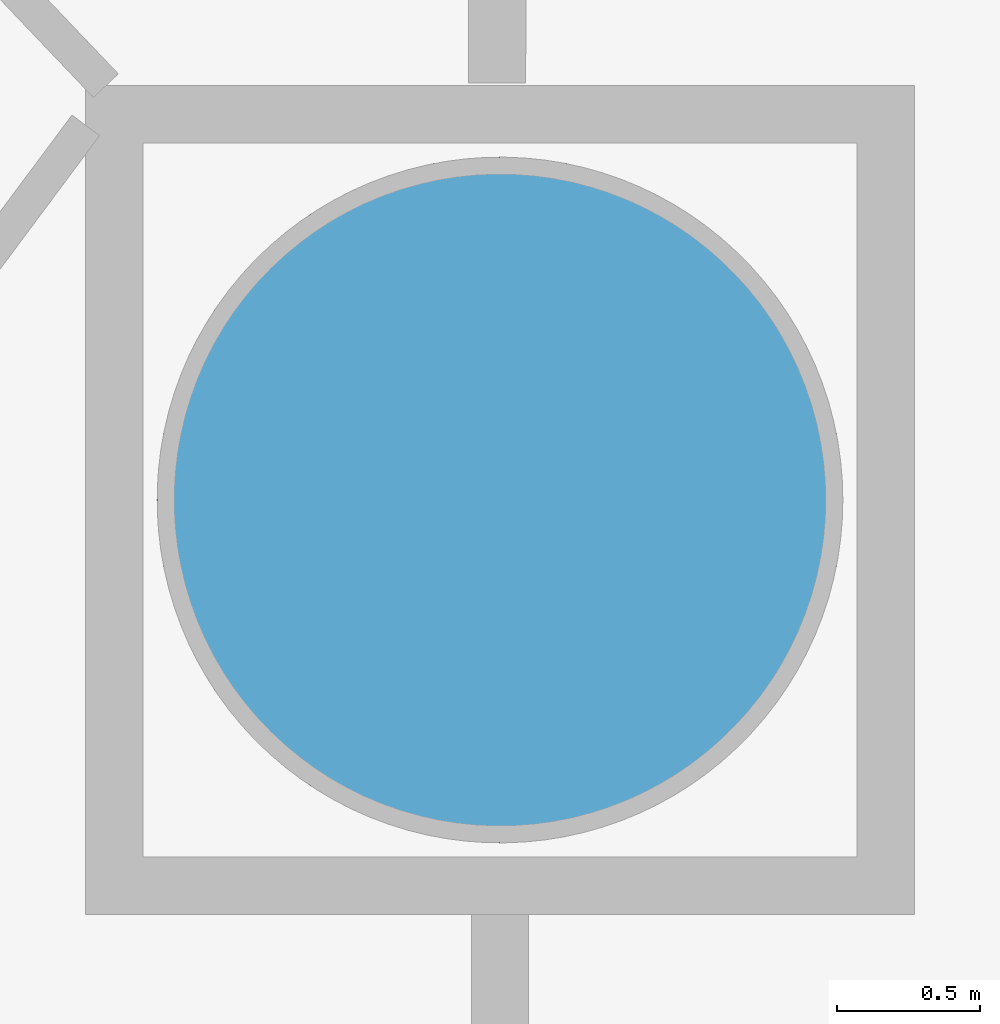
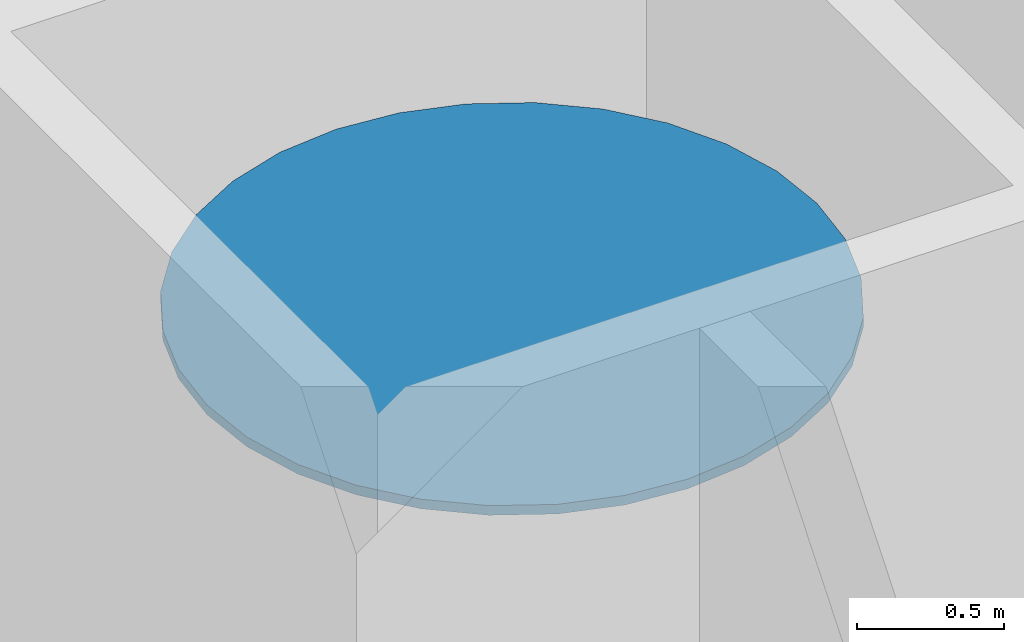
# One storey, part 19 of 20: 1 discrete accessory.
"""IFC4 building model written with IfcOpenShell, lengths in metres."""

from ifc_helpers import new_model, si_unit, direction, frame, origin, place, context, subcontext, project, spatial, polyline, outline, extrude, material, layer, layer_set, type_object, element, save


model = new_model("IFC4")

# Units and contexts
model_context = context("Model", 3, precision=1e-05, world=origin(), true_north=direction((0.0, 1.0)))
body_context = subcontext(model_context, "Body", "Model", "MODEL_VIEW")
ifc_project = project(units=[si_unit("LENGTHUNIT", "METRE"), si_unit("AREAUNIT", "SQUARE_METRE"), si_unit("VOLUMEUNIT", "CUBIC_METRE"), si_unit("PLANEANGLEUNIT", "RADIAN"), si_unit("MASSUNIT", "GRAM", prefix="KILO")], contexts=[model_context])

# Site, building, storey
site_placement = place(None, origin())
site = spatial("IfcSite", under=ifc_project, at=site_placement, CompositionType="ELEMENT")
building_placement = place(site_placement, origin())
building = spatial("IfcBuilding", under=site, at=building_placement, Name="Spindle Arch Residences", CompositionType="ELEMENT")
storey_placement = place(building_placement, frame((0.0, 0.0, 66.39990234375)))
storey = spatial("IfcBuildingStorey", under=building, at=storey_placement, Name="L15", CompositionType="ELEMENT", Elevation=66.39990234375)

# Discrete accessory
ifc_material = material(Name="Steel S460ML, intumescent coating R 240", Category="steel")
ifc_layer = layer(ifc_material, 0.0400390625)
ifc_layer_set = layer_set([ifc_layer], Name="End cap plate 40")
discrete_accessory_type = type_object("IfcDiscreteAccessoryType", Name="End cap plate 40", PredefinedType="BRACKET", material=ifc_layer_set)
discrete_accessory_placement = place(storey_placement, frame((0.0, 0.0, 2.196044921875)))
element("IfcDiscreteAccessory", 1, at=discrete_accessory_placement, inside=storey, type_object=discrete_accessory_type, Name="End cap Mega-column 2", PredefinedType="BRACKET", context=body_context, shape_type="SweptSolid", body=[
    extrude(outline(polyline([(1.199951171875, 23.259765625), (1.177001953125, 23.493896484375), (1.108642578125, 23.718994140625), (0.997802734375, 23.926513671875), (0.848388671875, 24.1083984375), (0.666748046875, 24.257568359375), (0.459228515625, 24.368408203125), (0.234130859375, 24.436767578125), (0.0, 24.459716796875), (-0.234130859375, 24.436767578125), (-0.459228515625, 24.368408203125), (-0.666748046875, 24.257568359375), (-0.848388671875, 24.1083984375), (-0.997802734375, 23.926513671875), (-1.108642578125, 23.718994140625), (-1.177001953125, 23.493896484375), (-1.199951171875, 23.259765625), (-1.177001953125, 23.025634765625), (-1.108642578125, 22.800537109375), (-0.997802734375, 22.593017578125), (-0.848388671875, 22.411376953125), (-0.666748046875, 22.261962890625), (-0.459228515625, 22.151123046875), (-0.234130859375, 22.0830078125), (0.0, 22.059814453125), (0.234130859375, 22.0830078125), (0.459228515625, 22.151123046875), (0.666748046875, 22.261962890625), (0.848388671875, 22.411376953125), (0.997802734375, 22.593017578125), (1.108642578125, 22.800537109375), (1.177001953125, 23.025634765625), (1.199951171875, 23.259765625)])), origin(), (0.0, 0.0, 1.0), 0.0400390625),
])

save(model, "model.ifc")
